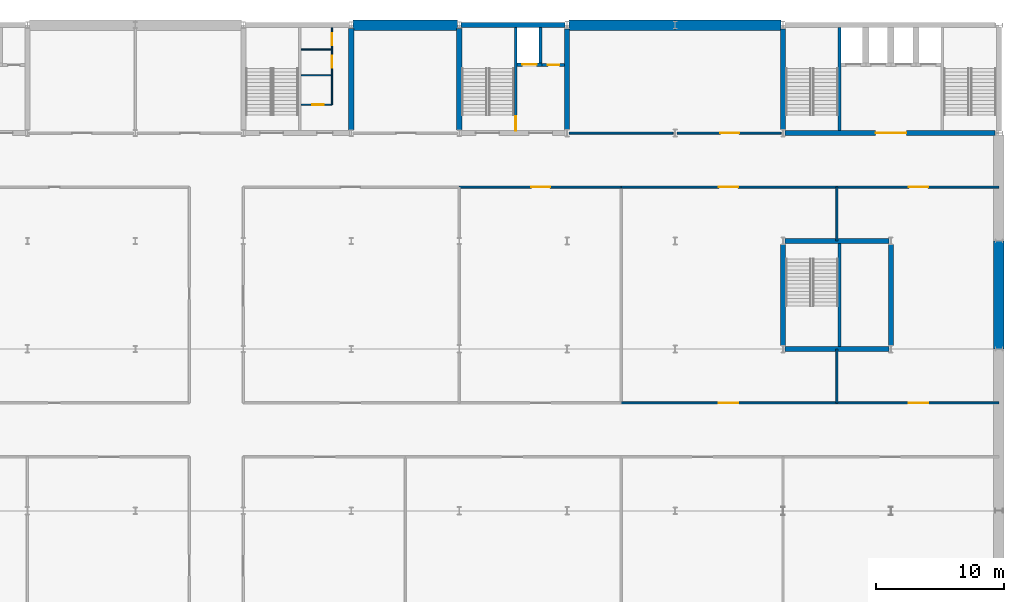
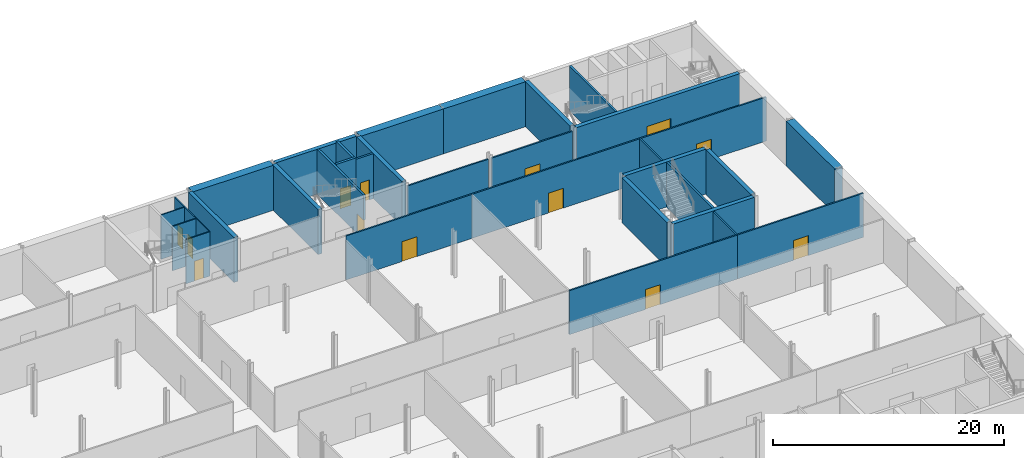
# One storey, part 16 of 20: 35 walls, 13 doors, 13 openings.
"""IFC4 building model written with IfcOpenShell, lengths in metres."""

from ifc_helpers import new_model, si_unit, direction, frame, frame_2d, origin, place, context, subcontext, project, spatial, rectangle, extrude, material, layer, layer_set, type_object, element, fill, save


model = new_model("IFC4")

# Units and contexts
model_context = context("Model", 3, precision=1e-05, world=origin(), true_north=direction((0.0, 1.0)))
body_context = subcontext(model_context, "Body", "Model", "MODEL_VIEW")
ifc_project = project(units=[si_unit("LENGTHUNIT", "METRE"), si_unit("AREAUNIT", "SQUARE_METRE"), si_unit("VOLUMEUNIT", "CUBIC_METRE"), si_unit("PLANEANGLEUNIT", "RADIAN"), si_unit("MASSUNIT", "GRAM", prefix="KILO")], contexts=[model_context])

# Site, building, storey
site_placement = place(None, origin())
site = spatial("IfcSite", under=ifc_project, at=site_placement, CompositionType="ELEMENT")
building_placement = place(site_placement, origin())
building = spatial("IfcBuilding", under=site, at=building_placement, Name="Galleria Vessillo Department Store", CompositionType="ELEMENT")
storey_placement = place(building_placement, frame((0.0, 0.0, -4.89990234375)))
storey = spatial("IfcBuildingStorey", under=building, at=storey_placement, Name="B1", CompositionType="ELEMENT", Elevation=-4.89990234375)

# Walls
ifc_material_1 = material(Name="Concrete C32/40 reinforced", Category="concrete")
ifc_layer_1 = layer(ifc_material_1, 0.800048828125)
ifc_layer_set_1 = layer_set([ifc_layer_1], Name="Concrete C32/40 reinforced")
wall_type_1 = type_object("IfcWallType", Name="Diaphragm wall 800 mm", PredefinedType="SOLIDWALL", material=ifc_layer_set_1)
wall_1_placement = place(storey_placement, frame((67.349853515625, 63.0, 0.0), z_axis=(0.0, 0.0, 1.0), x_axis=(1.0, 0.0, 0.0)))
element("IfcWall", 1, at=wall_1_placement, inside=storey, type_object=wall_type_1, Name="S-BW-N-B1-06", PredefinedType="SOLIDWALL", context=body_context, shape_type="SweptSolid", body=[
    extrude(rectangle(XDim=8.100341796875, YDim=0.800048828125, at=frame_2d((4.05029296875, 0.0))), origin(), (0.0, 0.0, 1.0), 4.75),
])
wall_2_placement = place(storey_placement, frame((84.153076171875, 63.0, 0.0), z_axis=(0.0, 0.0, 1.0), x_axis=(1.0, 0.0, 0.0)))
element("IfcWall", 2, at=wall_2_placement, inside=storey, type_object=wall_type_1, Name="S-BW-N-B1-07", PredefinedType="SOLIDWALL", context=body_context, shape_type="SweptSolid", body=[
    extrude(rectangle(XDim=8.246826171875, YDim=0.800048828125, at=frame_2d((4.12353515625, 0.0))), origin(), (0.0, 0.0, 1.0), 4.75),
])
wall_3_placement = place(storey_placement, frame((92.39990234375, 63.0, 0.0), z_axis=(0.0, 0.0, 1.0), x_axis=(1.0, 0.0, 0.0)))
element("IfcWall", 3, at=wall_3_placement, inside=storey, type_object=wall_type_1, Name="S-BW-N-B1-08", PredefinedType="SOLIDWALL", context=body_context, shape_type="SweptSolid", body=[
    extrude(rectangle(XDim=8.2470703125, YDim=0.800048828125, at=frame_2d((4.12353515625, 0.0))), origin(), (0.0, 0.0, 1.0), 4.75),
])
wall_4_placement = place(storey_placement, frame((117.60009765625, 37.800048828125, 0.0), z_axis=(0.0, 0.0, 1.0), x_axis=(0.0, 1.0, 0.0)))
element("IfcWall", 4, at=wall_4_placement, inside=storey, type_object=wall_type_1, Name="S-BW-E-B1-04", PredefinedType="SOLIDWALL", context=body_context, shape_type="SweptSolid", body=[
    extrude(rectangle(XDim=8.39990234375, YDim=0.800048828125, at=frame_2d((4.199951171875, 0.0))), origin(), (0.0, 0.0, 1.0), 4.75),
])

# Wall, opening, door
ifc_material_2 = material(Name="Solid clay block masonry", Category="masonry")
ifc_layer_2 = layer(ifc_material_2, 0.25)
ifc_layer_set_2 = layer_set([ifc_layer_2], Name="Solid clay block masonry")
wall_type_2 = type_object("IfcWallType", Name="Lift shaft wall 250 mm", PredefinedType="SOLIDWALL", material=ifc_layer_set_2)
wall_5_placement = place(storey_placement, frame((80.10009765625, 59.925048828125, 0.0), z_axis=(0.0, 0.0, 1.0), x_axis=(1.0, 0.0, 0.0)))
wall_5 = element("IfcWall", 5, at=wall_5_placement, inside=storey, type_object=wall_type_2, Name="Lift shaft wall LP6 landing side B1", PredefinedType="SOLIDWALL", context=body_context, shape_type="SweptSolid", body=[
    extrude(rectangle(XDim=1.949951171875, YDim=0.25, at=frame_2d((0.97509765625, 0.0))), origin(), (0.0, 0.0, 1.0), 4.89990234375),
])
opening_1_placement = place(wall_5_placement, frame((0.4248046875, 0.0, 0.0)))
opening_1 = element("IfcOpeningElement", 6, at=opening_1_placement, cuts=wall_5, Name="Opening LD042", PredefinedType="OPENING", context=body_context, shape_type="SweptSolid", body=[
    extrude(rectangle(XDim=1.10009765625, YDim=2.10009765625, at=frame_2d((0.550048828125, 1.050048828125))), frame((0.0, 0.135009765625, 0.0), z_axis=(0.0, -1.0, 0.0), x_axis=(1.0, 0.0, 0.0)), (0.0, 0.0, 1.0), 0.27001953125),
])
ifc_material_3 = material(Name="Stainless steel lift door panel", Category="steel")
door_type_1 = type_object("IfcDoorType", Name="Lift landing door LD110 sliding 1100 x 2100", OperationType="SLIDING_TO_LEFT", PredefinedType="DOOR", material=ifc_material_3)
door_1_placement = place(opening_1_placement, frame((1.10009765625, 0.0, 0.0), z_axis=(0.0, 0.0, 1.0), x_axis=(-1.0, 0.0, 0.0)))
door_1 = element("IfcDoor", 7, at=door_1_placement, inside=storey, type_object=door_type_1, Name="Lift landing door LP6 B1", OperationType="SLIDING_TO_RIGHT", OverallHeight=2.10009765625, OverallWidth=1.10009765625, PredefinedType="DOOR", context=body_context, shape_type="SweptSolid", body=[
    extrude(rectangle(XDim=1.10009765625, YDim=2.10009765625, at=frame_2d((0.550048828125, 1.050048828125))), frame((0.0, 0.02490234375, 0.0), z_axis=(0.0, -1.0, 0.0), x_axis=(1.0, 0.0, 0.0)), (0.0, 0.0, 1.0), 0.050048828125),
])
fill(opening_1, door_1)

# Walls
wall_6_placement = place(storey_placement, frame((81.925048828125, 62.800048828125, 0.0), z_axis=(0.0, 0.0, 1.0), x_axis=(0.0, -1.0, 0.0)))
element("IfcWall", 8, at=wall_6_placement, inside=storey, type_object=wall_type_2, Name="Lift shaft wall LP6 B1", PredefinedType="SOLIDWALL", context=body_context, shape_type="SweptSolid", body=[
    extrude(rectangle(XDim=2.75, YDim=0.25, at=frame_2d((1.375, 0.0))), origin(), (0.0, 0.0, 1.0), 4.89990234375),
])
ifc_material_4 = material(Name="Concrete C32/40 reinforced", Category="concrete")
ifc_layer_3 = layer(ifc_material_4, 0.39990234375)
ifc_layer_set_3 = layer_set([ifc_layer_3], Name="Concrete C32/40 reinforced")
wall_type_3 = type_object("IfcWallType", Name="Reinforced concrete core wall 400 mm", PredefinedType="SHEAR", material=ifc_layer_set_3)
wall_7_placement = place(storey_placement, frame((75.60009765625, 54.85009765625, 0.0), z_axis=(0.0, 0.0, 1.0), x_axis=(0.0, 1.0, 0.0)))
element("IfcWall", 9, at=wall_7_placement, inside=storey, type_object=wall_type_3, Name="S-CW-PC-NE-WEST-B1", PredefinedType="SHEAR", context=body_context, shape_type="SweptSolid", body=[
    extrude(rectangle(XDim=7.89990234375, YDim=0.39990234375, at=frame_2d((3.949951171875, 0.0))), origin(), (0.0, 0.0, 1.0), 4.75),
])
wall_8_placement = place(storey_placement, frame((84.0, 54.885986328125, 0.0), z_axis=(0.0, 0.0, 1.0), x_axis=(0.0, 1.0, 0.0)))
element("IfcWall", 10, at=wall_8_placement, inside=storey, type_object=wall_type_3, Name="S-CW-PC-NE-EAST-B1", PredefinedType="SHEAR", context=body_context, shape_type="SweptSolid", body=[
    extrude(rectangle(XDim=7.828125, YDim=0.39990234375, at=frame_2d((3.9140625, 0.0))), origin(), (0.0, 0.0, 1.0), 4.75),
])
wall_9_placement = place(storey_placement, frame((67.199951171875, 54.85009765625, 0.0), z_axis=(0.0, 0.0, 1.0), x_axis=(0.0, 1.0, 0.0)))
element("IfcWall", 11, at=wall_9_placement, inside=storey, type_object=wall_type_3, Name="S-CW-PC-NC-EAST-B1", PredefinedType="SHEAR", context=body_context, shape_type="SweptSolid", body=[
    extrude(rectangle(XDim=7.89990234375, YDim=0.39990234375, at=frame_2d((3.949951171875, 0.0))), origin(), (0.0, 0.0, 1.0), 4.75),
])

# Wall, opening, door
wall_10_placement = place(storey_placement, frame((100.953125, 54.60009765625, 0.0), z_axis=(0.0, 0.0, 1.0), x_axis=(1.0, 0.0, 0.0)))
wall_10 = element("IfcWall", 12, at=wall_10_placement, inside=storey, type_object=wall_type_3, Name="S-CW-TC-INTERIOR-B1", PredefinedType="SHEAR", context=body_context, shape_type="SweptSolid", body=[
    extrude(rectangle(XDim=16.361083984375, YDim=0.39990234375, at=frame_2d((8.1806640625, 0.0))), origin(), (0.0, 0.0, 1.0), 4.75),
])
opening_2_placement = place(wall_10_placement, frame((7.046875, 0.0, 0.0)))
opening_2 = element("IfcOpeningElement", 13, at=opening_2_placement, cuts=wall_10, Name="Opening D5260", PredefinedType="OPENING", context=body_context, shape_type="SweptSolid", body=[
    extrude(rectangle(XDim=2.39990234375, YDim=2.39990234375, at=frame_2d((1.199951171875, 1.199951171875))), frame((0.0, 0.2099609375, 0.0), z_axis=(0.0, -1.0, 0.0), x_axis=(1.0, 0.0, 0.0)), (0.0, 0.0, 1.0), 0.419921875),
])
ifc_material_5 = material(Name="Fire-rated steel door leaf", Category="steel")
door_type_2 = type_object("IfcDoorType", Name="Door D240F double leaf 2400 x 2400", OperationType="DOUBLE_DOOR_SINGLE_SWING", PredefinedType="DOOR", material=ifc_material_5)
door_2_placement = place(opening_2_placement, frame((2.39990234375, 0.0, 0.0), z_axis=(0.0, 0.0, 1.0), x_axis=(-1.0, 0.0, 0.0)))
door_2 = element("IfcDoor", 14, at=door_2_placement, inside=storey, type_object=door_type_2, Name="Lobby door TC-LOBBY-FLOOR B1", OperationType="DOUBLE_DOOR_SINGLE_SWING", OverallHeight=2.39990234375, OverallWidth=2.39990234375, PredefinedType="DOOR", context=body_context, shape_type="SweptSolid", body=[
    extrude(rectangle(XDim=2.39990234375, YDim=2.39990234375, at=frame_2d((1.199951171875, 1.199951171875))), frame((0.0, 0.02490234375, 0.0), z_axis=(0.0, -1.0, 0.0), x_axis=(1.0, 0.0, 0.0)), (0.0, 0.0, 1.0), 0.050048828125),
])
fill(opening_2, door_2)

# Walls
wall_11_placement = place(storey_placement, frame((100.800048828125, 54.885986328125, 0.0), z_axis=(0.0, 0.0, 1.0), x_axis=(0.0, 1.0, 0.0)))
element("IfcWall", 15, at=wall_11_placement, inside=storey, type_object=wall_type_3, Name="S-CW-TC-WEST-B1", PredefinedType="SHEAR", context=body_context, shape_type="SweptSolid", body=[
    extrude(rectangle(XDim=7.828125, YDim=0.39990234375, at=frame_2d((3.9140625, 0.0))), origin(), (0.0, 0.0, 1.0), 4.75),
])
for number, where, z_axis, x_axis, name in (
    (16, (100.953125, 37.800048828125, 0.0), (0.0, 0.0, 1.0), (1.0, 0.0, 0.0), "S-CW-TS-PARTY-B1"),
    (17, (100.953125, 46.199951171875, 0.0), (0.0, 0.0, 1.0), (1.0, 0.0, 0.0), "S-CW-TS-INTERIOR-B1"),
):
    element("IfcWall", number, at=place(storey_placement, frame(where, z_axis=z_axis, x_axis=x_axis)), inside=storey, type_object=wall_type_3, Name=name, PredefinedType="SHEAR", context=body_context, shape_type="SweptSolid", body=[
        extrude(rectangle(XDim=8.09375, YDim=0.39990234375, at=frame_2d((4.046875, 0.0))), origin(), (0.0, 0.0, 1.0), 4.75),
    ])
for number, where, z_axis, x_axis, name in (
    (18, (100.800048828125, 38.0859375, 0.0), (0.0, 0.0, 1.0), (0.0, 1.0, 0.0), "S-CW-TS-WEST-B1"),
    (19, (109.199951171875, 38.0859375, 0.0), (0.0, 0.0, 1.0), (0.0, 1.0, 0.0), "S-CW-TS-EAST-B1"),
):
    element("IfcWall", number, at=place(storey_placement, frame(where, z_axis=z_axis, x_axis=x_axis)), inside=storey, type_object=wall_type_3, Name=name, PredefinedType="SHEAR", context=body_context, shape_type="SweptSolid", body=[
        extrude(rectangle(XDim=7.828125, YDim=0.39990234375, at=frame_2d((3.9140625, 0.0))), origin(), (0.0, 0.0, 1.0), 4.75),
    ])
ifc_material_6 = material(Name="Concrete C32/40 reinforced", Category="concrete")
ifc_layer_4 = layer(ifc_material_6, 0.39990234375)
ifc_layer_set_4 = layer_set([ifc_layer_4], Name="Concrete C32/40 reinforced")
wall_type_4 = type_object("IfcWallType", Name="Reinforced concrete core wall 400 mm, external", PredefinedType="SHEAR", material=ifc_layer_set_4)
wall_12_placement = place(storey_placement, frame((75.75, 63.0, 0.0), z_axis=(0.0, 0.0, 1.0), x_axis=(1.0, 0.0, 0.0)))
element("IfcWall", 20, at=wall_12_placement, inside=storey, type_object=wall_type_4, Name="S-CW-PC-NE-PARTY-B1", PredefinedType="SHEAR", context=body_context, shape_type="SweptSolid", body=[
    extrude(rectangle(XDim=8.096923828125, YDim=0.39990234375, at=frame_2d((4.04833984375, 0.0))), origin(), (0.0, 0.0, 1.0), 4.75),
])

# Wall, opening, door
ifc_material_7 = material(Name="Concrete C32/40 reinforced", Category="concrete")
ifc_layer_5 = layer(ifc_material_7, 0.199951171875)
ifc_layer_set_5 = layer_set([ifc_layer_5], Name="Concrete C32/40 reinforced")
wall_type_5 = type_object("IfcWallType", Name="Reinforced concrete stair enclosure wall 200 mm", PredefinedType="SHEAR", material=ifc_layer_set_5)
wall_13_placement = place(storey_placement, frame((80.0, 62.800048828125, 0.0), z_axis=(0.0, 0.0, 1.0), x_axis=(0.0, -1.0, 0.0)))
wall_13 = element("IfcWall", 21, at=wall_13_placement, inside=storey, type_object=wall_type_5, Name="Stair enclosure wall PC-NE B1", PredefinedType="SHEAR", context=body_context, shape_type="SweptSolid", body=[
    extrude(rectangle(XDim=8.0, YDim=0.199951171875, at=frame_2d((4.0, 0.0))), origin(), (0.0, 0.0, 1.0), 4.75),
])
opening_3_placement = place(wall_13_placement, frame((6.89990234375, 0.0, 0.0)))
opening_3 = element("IfcOpeningElement", 22, at=opening_3_placement, cuts=wall_13, Name="Opening D5162", PredefinedType="OPENING", context=body_context, shape_type="SweptSolid", body=[
    extrude(rectangle(XDim=1.11009765625, YDim=2.10009765625, at=frame_2d((0.554931640625, 1.050048828125))), frame((0.0, 0.10986328125, 0.0), z_axis=(0.0, -1.0, 0.0), x_axis=(1.0, 0.0, 0.0)), (0.0, 0.0, 1.0), 0.219970703125),
])
ifc_material_8 = material(Name="Fire-rated steel door leaf", Category="steel")
door_type_3 = type_object("IfcDoorType", Name="Door D110F stair door 1100 x 2100", OperationType="SINGLE_SWING_LEFT", PredefinedType="DOOR", material=ifc_material_8)
door_3_placement = place(opening_3_placement, frame((1.10009765625, 0.0, 0.0), z_axis=(0.0, 0.0, 1.0), x_axis=(-1.0, 0.0, 0.0)))
door_3 = element("IfcDoor", 23, at=door_3_placement, inside=storey, type_object=door_type_3, Name="Stair door PC-NE-ST-LOBBY B1", OperationType="SINGLE_SWING_LEFT", OverallHeight=2.10009765625, OverallWidth=1.10009765625, PredefinedType="DOOR", context=body_context, shape_type="SweptSolid", body=[
    extrude(rectangle(XDim=1.10009765625, YDim=2.10009765625, at=frame_2d((0.550048828125, 1.050048828125))), frame((0.0, 0.02490234375, 0.0), z_axis=(0.0, -1.0, 0.0), x_axis=(1.0, 0.0, 0.0)), (0.0, 0.0, 1.0), 0.050048828125),
])
fill(opening_3, door_3)

# Walls
for number, where, z_axis, x_axis, name in (
    (24, (105.199951171875, 62.800048828125, 0.0), (0.0, 0.0, 1.0), (0.0, -1.0, 0.0), "Stair enclosure wall TC B1"),
    (25, (105.199951171875, 38.0, 0.0), (0.0, 0.0, 1.0), (0.0, 1.0, 0.0), "Stair enclosure wall TS B1"),
):
    element("IfcWall", number, at=place(storey_placement, frame(where, z_axis=z_axis, x_axis=x_axis)), inside=storey, type_object=wall_type_5, Name=name, PredefinedType="SHEAR", context=body_context, shape_type="SweptSolid", body=[
        extrude(rectangle(XDim=8.0, YDim=0.199951171875, at=frame_2d((4.0, 0.0))), origin(), (0.0, 0.0, 1.0), 4.75),
    ])

# Wall, opening, door
ifc_material_9 = material(Name="Hollow clay block masonry", Category="masonry")
ifc_layer_6 = layer(ifc_material_9, 0.199951171875)
ifc_layer_set_6 = layer_set([ifc_layer_6], Name="Hollow clay block masonry")
wall_type_6 = type_object("IfcWallType", Name="Riser and service room wall 200 mm", PredefinedType="PARTITIONING", material=ifc_layer_set_6)
wall_14_placement = place(storey_placement, frame((82.050048828125, 59.900146484375, 0.0), z_axis=(0.0, 0.0, 1.0), x_axis=(1.0, 0.0, 0.0)))
wall_14 = element("IfcWall", 26, at=wall_14_placement, inside=storey, type_object=wall_type_6, Name="Riser wall PC-NE-RISER B1", PredefinedType="PARTITIONING", context=body_context, shape_type="SweptSolid", body=[
    extrude(rectangle(XDim=1.75, YDim=0.199951171875, at=frame_2d((0.875, 0.0))), origin(), (0.0, 0.0, 1.0), 4.75),
])
opening_4_placement = place(wall_14_placement, frame((0.449951171875, 0.0, 0.0)))
opening_4 = element("IfcOpeningElement", 27, at=opening_4_placement, cuts=wall_14, Name="Opening D5163", PredefinedType="OPENING", context=body_context, shape_type="SweptSolid", body=[
    extrude(rectangle(XDim=0.89990234375, YDim=2.10009765625, at=frame_2d((0.449951171875, 1.050048828125))), frame((0.0, 0.10986328125, 0.0), z_axis=(0.0, -1.0, 0.0), x_axis=(1.0, 0.0, 0.0)), (0.0, 0.0, 1.0), 0.219970703125),
])
ifc_material_10 = material(Name="Fire-rated steel door leaf", Category="steel")
door_type_4 = type_object("IfcDoorType", Name="Door DR90 riser access 900 x 2100", OperationType="SINGLE_SWING_LEFT", PredefinedType="DOOR", material=ifc_material_10)
door_4_placement = place(opening_4_placement, origin())
door_4 = element("IfcDoor", 28, at=door_4_placement, inside=storey, type_object=door_type_4, Name="Riser door PC-NE-RISER-D B1", OperationType="SINGLE_SWING_RIGHT", OverallHeight=2.10009765625, OverallWidth=0.89990234375, PredefinedType="DOOR", context=body_context, shape_type="SweptSolid", body=[
    extrude(rectangle(XDim=0.89990234375, YDim=2.10009765625, at=frame_2d((0.449951171875, 1.050048828125))), frame((0.0, 0.02490234375, 0.0), z_axis=(0.0, -1.0, 0.0), x_axis=(1.0, 0.0, 0.0)), (0.0, 0.0, 1.0), 0.050048828125),
])
fill(opening_4, door_4)

ifc_material_11 = material(Name="Concrete blockwork", Category="masonry")
ifc_layer_7 = layer(ifc_material_11, 0.14990234375)
ifc_layer_set_7 = layer_set([ifc_layer_7], Name="Concrete blockwork")
wall_type_7 = type_object("IfcWallType", Name="Stockroom blockwork wall 150 mm", PredefinedType="SOLIDWALL", material=ifc_layer_set_7)
wall_15_placement = place(storey_placement, frame((88.199951171875, 33.60009765625, 0.0), z_axis=(0.0, 0.0, 1.0), x_axis=(1.0, 0.0, 0.0)))
wall_15 = element("IfcWall", 29, at=wall_15_placement, inside=storey, type_object=wall_type_7, Name="Partition wall PT4 on B1 no. 045", PredefinedType="SOLIDWALL", context=body_context, shape_type="SweptSolid", body=[
    extrude(rectangle(XDim=16.800048828125, YDim=0.14990234375, at=frame_2d((8.39990234375, 0.0))), origin(), (0.0, 0.0, 1.0), 4.64990234375),
])
opening_5_placement = place(wall_15_placement, frame((7.60009765625, 0.0, 0.0)))
opening_5 = element("IfcOpeningElement", 30, at=opening_5_placement, cuts=wall_15, Name="Opening D2135", PredefinedType="OPENING", context=body_context, shape_type="SweptSolid", body=[
    extrude(rectangle(XDim=1.5, YDim=2.10009765625, at=frame_2d((0.75, 1.050048828125))), frame((0.0, 0.0849609375, 0.0), z_axis=(0.0, -1.0, 0.0), x_axis=(1.0, 0.0, 0.0)), (0.0, 0.0, 1.0), 0.169921875),
])
ifc_material_12 = material(Name="Steel fire door leaf", Category="steel")
door_type_5 = type_object("IfcDoorType", Name="Stockroom fire door 1500 double leaf", OperationType="DOUBLE_DOOR_SINGLE_SWING", PredefinedType="DOOR", material=ifc_material_12)
door_5_placement = place(opening_5_placement, origin())
door_5 = element("IfcDoor", 31, at=door_5_placement, inside=storey, type_object=door_type_5, Name="Door D2135", OperationType="DOUBLE_DOOR_SINGLE_SWING", OverallHeight=2.10009765625, OverallWidth=1.5, PredefinedType="DOOR", context=body_context, shape_type="SweptSolid", body=[
    extrude(rectangle(XDim=1.5, YDim=2.10009765625, at=frame_2d((0.75, 1.050048828125))), frame((0.0, 0.02490234375, 0.0), z_axis=(0.0, -1.0, 0.0), x_axis=(1.0, 0.0, 0.0)), (0.0, 0.0, 1.0), 0.050048828125),
])
fill(opening_5, door_5)

wall_16_placement = place(storey_placement, frame((105.0, 33.60009765625, 0.0), z_axis=(0.0, 0.0, 1.0), x_axis=(1.0, 0.0, 0.0)))
wall_16 = element("IfcWall", 32, at=wall_16_placement, inside=storey, type_object=wall_type_7, Name="Partition wall PT4 on B1 no. 046", PredefinedType="SOLIDWALL", context=body_context, shape_type="SweptSolid", body=[
    extrude(rectangle(XDim=12.60009765625, YDim=0.14990234375, at=frame_2d((6.300048828125, 0.0))), origin(), (0.0, 0.0, 1.0), 4.64990234375),
])
opening_6_placement = place(wall_16_placement, frame((5.60009765625, 0.0, 0.0)))
opening_6 = element("IfcOpeningElement", 33, at=opening_6_placement, cuts=wall_16, Name="Opening D2136", PredefinedType="OPENING", context=body_context, shape_type="SweptSolid", body=[
    extrude(rectangle(XDim=1.5, YDim=2.10009765625, at=frame_2d((0.75, 1.050048828125))), frame((0.0, 0.0849609375, 0.0), z_axis=(0.0, -1.0, 0.0), x_axis=(1.0, 0.0, 0.0)), (0.0, 0.0, 1.0), 0.169921875),
])
door_6_placement = place(opening_6_placement, origin())
door_6 = element("IfcDoor", 34, at=door_6_placement, inside=storey, type_object=door_type_5, Name="Door D2136", OperationType="DOUBLE_DOOR_SINGLE_SWING", OverallHeight=2.10009765625, OverallWidth=1.5, PredefinedType="DOOR", context=body_context, shape_type="SweptSolid", body=[
    extrude(rectangle(XDim=1.5, YDim=2.10009765625, at=frame_2d((0.75, 1.050048828125))), frame((0.0, 0.02490234375, 0.0), z_axis=(0.0, -1.0, 0.0), x_axis=(1.0, 0.0, 0.0)), (0.0, 0.0, 1.0), 0.050048828125),
])
fill(opening_6, door_6)

wall_17_placement = place(storey_placement, frame((75.60009765625, 50.39990234375, 0.0), z_axis=(0.0, 0.0, 1.0), x_axis=(1.0, 0.0, 0.0)))
wall_17 = element("IfcWall", 35, at=wall_17_placement, inside=storey, type_object=wall_type_7, Name="Partition wall PT4 on B1 no. 052", PredefinedType="SOLIDWALL", context=body_context, shape_type="SweptSolid", body=[
    extrude(rectangle(XDim=12.599853515625, YDim=0.14990234375, at=frame_2d((6.2998046875, 0.0))), origin(), (0.0, 0.0, 1.0), 4.64990234375),
])
opening_7_placement = place(wall_17_placement, frame((5.60009765625, 0.0, 0.0)))
opening_7 = element("IfcOpeningElement", 36, at=opening_7_placement, cuts=wall_17, Name="Opening D2140", PredefinedType="OPENING", context=body_context, shape_type="SweptSolid", body=[
    extrude(rectangle(XDim=1.5, YDim=2.10009765625, at=frame_2d((0.75, 1.050048828125))), frame((0.0, 0.0849609375, 0.0), z_axis=(0.0, -1.0, 0.0), x_axis=(1.0, 0.0, 0.0)), (0.0, 0.0, 1.0), 0.169921875),
])
door_7_placement = place(opening_7_placement, frame((1.5, 0.0, 0.0), z_axis=(0.0, 0.0, 1.0), x_axis=(-1.0, 0.0, 0.0)))
door_7 = element("IfcDoor", 37, at=door_7_placement, inside=storey, type_object=door_type_5, Name="Door D2140", OperationType="DOUBLE_DOOR_SINGLE_SWING", OverallHeight=2.10009765625, OverallWidth=1.5, PredefinedType="DOOR", context=body_context, shape_type="SweptSolid", body=[
    extrude(rectangle(XDim=1.5, YDim=2.10009765625, at=frame_2d((0.75, 1.050048828125))), frame((0.0, 0.02490234375, 0.0), z_axis=(0.0, -1.0, 0.0), x_axis=(1.0, 0.0, 0.0)), (0.0, 0.0, 1.0), 0.050048828125),
])
fill(opening_7, door_7)

wall_18_placement = place(storey_placement, frame((88.199951171875, 50.39990234375, 0.0), z_axis=(0.0, 0.0, 1.0), x_axis=(1.0, 0.0, 0.0)))
wall_18 = element("IfcWall", 38, at=wall_18_placement, inside=storey, type_object=wall_type_7, Name="Partition wall PT4 on B1 no. 053", PredefinedType="SOLIDWALL", context=body_context, shape_type="SweptSolid", body=[
    extrude(rectangle(XDim=16.800048828125, YDim=0.14990234375, at=frame_2d((8.39990234375, 0.0))), origin(), (0.0, 0.0, 1.0), 4.64990234375),
])
opening_8_placement = place(wall_18_placement, frame((7.60009765625, 0.0, 0.0)))
opening_8 = element("IfcOpeningElement", 39, at=opening_8_placement, cuts=wall_18, Name="Opening D2141", PredefinedType="OPENING", context=body_context, shape_type="SweptSolid", body=[
    extrude(rectangle(XDim=1.5, YDim=2.10009765625, at=frame_2d((0.75, 1.050048828125))), frame((0.0, 0.0849609375, 0.0), z_axis=(0.0, -1.0, 0.0), x_axis=(1.0, 0.0, 0.0)), (0.0, 0.0, 1.0), 0.169921875),
])
door_8_placement = place(opening_8_placement, frame((1.5, 0.0, 0.0), z_axis=(0.0, 0.0, 1.0), x_axis=(-1.0, 0.0, 0.0)))
door_8 = element("IfcDoor", 40, at=door_8_placement, inside=storey, type_object=door_type_5, Name="Door D2141", OperationType="DOUBLE_DOOR_SINGLE_SWING", OverallHeight=2.10009765625, OverallWidth=1.5, PredefinedType="DOOR", context=body_context, shape_type="SweptSolid", body=[
    extrude(rectangle(XDim=1.5, YDim=2.10009765625, at=frame_2d((0.75, 1.050048828125))), frame((0.0, 0.02490234375, 0.0), z_axis=(0.0, -1.0, 0.0), x_axis=(1.0, 0.0, 0.0)), (0.0, 0.0, 1.0), 0.050048828125),
])
fill(opening_8, door_8)

wall_19_placement = place(storey_placement, frame((105.0, 50.39990234375, 0.0), z_axis=(0.0, 0.0, 1.0), x_axis=(1.0, 0.0, 0.0)))
wall_19 = element("IfcWall", 41, at=wall_19_placement, inside=storey, type_object=wall_type_7, Name="Partition wall PT4 on B1 no. 054", PredefinedType="SOLIDWALL", context=body_context, shape_type="SweptSolid", body=[
    extrude(rectangle(XDim=12.60009765625, YDim=0.14990234375, at=frame_2d((6.300048828125, 0.0))), origin(), (0.0, 0.0, 1.0), 4.64990234375),
])
opening_9_placement = place(wall_19_placement, frame((5.60009765625, 0.0, 0.0)))
opening_9 = element("IfcOpeningElement", 42, at=opening_9_placement, cuts=wall_19, Name="Opening D2142", PredefinedType="OPENING", context=body_context, shape_type="SweptSolid", body=[
    extrude(rectangle(XDim=1.5, YDim=2.10009765625, at=frame_2d((0.75, 1.050048828125))), frame((0.0, 0.0849609375, 0.0), z_axis=(0.0, -1.0, 0.0), x_axis=(1.0, 0.0, 0.0)), (0.0, 0.0, 1.0), 0.169921875),
])
door_9_placement = place(opening_9_placement, frame((1.5, 0.0, 0.0), z_axis=(0.0, 0.0, 1.0), x_axis=(-1.0, 0.0, 0.0)))
door_9 = element("IfcDoor", 43, at=door_9_placement, inside=storey, type_object=door_type_5, Name="Door D2142", OperationType="DOUBLE_DOOR_SINGLE_SWING", OverallHeight=2.10009765625, OverallWidth=1.5, PredefinedType="DOOR", context=body_context, shape_type="SweptSolid", body=[
    extrude(rectangle(XDim=1.5, YDim=2.10009765625, at=frame_2d((0.75, 1.050048828125))), frame((0.0, 0.02490234375, 0.0), z_axis=(0.0, -1.0, 0.0), x_axis=(1.0, 0.0, 0.0)), (0.0, 0.0, 1.0), 0.050048828125),
])
fill(opening_9, door_9)

# Wall
wall_20_placement = place(storey_placement, frame((84.153076171875, 54.60009765625, 0.0), z_axis=(0.0, 0.0, 1.0), x_axis=(1.0, 0.0, 0.0)))
element("IfcWall", 44, at=wall_20_placement, inside=storey, type_object=wall_type_7, Name="Partition wall PT4 on B1 no. 063", PredefinedType="SOLIDWALL", context=body_context, shape_type="SweptSolid", body=[
    extrude(rectangle(XDim=8.09375, YDim=0.14990234375, at=frame_2d((4.046875, 0.0))), origin(), (0.0, 0.0, 1.0), 4.39990234375),
])

# Wall, opening, door
wall_21_placement = place(storey_placement, frame((92.552978515625, 54.60009765625, 0.0), z_axis=(0.0, 0.0, 1.0), x_axis=(1.0, 0.0, 0.0)))
wall_21 = element("IfcWall", 45, at=wall_21_placement, inside=storey, type_object=wall_type_7, Name="Partition wall PT4 on B1 no. 064", PredefinedType="SOLIDWALL", context=body_context, shape_type="SweptSolid", body=[
    extrude(rectangle(XDim=8.093994140625, YDim=0.14990234375, at=frame_2d((4.046875, 0.0))), origin(), (0.0, 0.0, 1.0), 4.39990234375),
])
opening_10_placement = place(wall_21_placement, frame((3.35009765625, 0.0, 0.0)))
opening_10 = element("IfcOpeningElement", 46, at=opening_10_placement, cuts=wall_21, Name="Opening D2150", PredefinedType="OPENING", context=body_context, shape_type="SweptSolid", body=[
    extrude(rectangle(XDim=1.5, YDim=2.10009765625, at=frame_2d((0.75, 1.050048828125))), frame((0.0, 0.0849609375, 0.0), z_axis=(0.0, -1.0, 0.0), x_axis=(1.0, 0.0, 0.0)), (0.0, 0.0, 1.0), 0.169921875),
])
door_10_placement = place(opening_10_placement, origin())
door_10 = element("IfcDoor", 47, at=door_10_placement, inside=storey, type_object=door_type_5, Name="Door D2150", OperationType="DOUBLE_DOOR_SINGLE_SWING", OverallHeight=2.10009765625, OverallWidth=1.5, PredefinedType="DOOR", context=body_context, shape_type="SweptSolid", body=[
    extrude(rectangle(XDim=1.5, YDim=2.10009765625, at=frame_2d((0.75, 1.050048828125))), frame((0.0, 0.02490234375, 0.0), z_axis=(0.0, -1.0, 0.0), x_axis=(1.0, 0.0, 0.0)), (0.0, 0.0, 1.0), 0.050048828125),
])
fill(opening_10, door_10)

# Walls
for number, where, z_axis, x_axis, name in (
    (48, (105.0, 33.60009765625, 0.0), (0.0, 0.0, 1.0), (0.0, 1.0, 0.0), "Partition wall PT4 on B1 no. 098"),
    (49, (105.0, 46.2099609375, 0.0), (0.0, 0.0, 1.0), (0.0, 1.0, 0.0), "Partition wall PT4 on B1 no. 099"),
):
    element("IfcWall", number, at=place(storey_placement, frame(where, z_axis=z_axis, x_axis=x_axis)), inside=storey, type_object=wall_type_7, Name=name, PredefinedType="SOLIDWALL", context=body_context, shape_type="SweptSolid", body=[
        extrude(rectangle(XDim=4.18994140625, YDim=0.14990234375, at=frame_2d((2.094970703125, 0.0))), origin(), (0.0, 0.0, 1.0), 4.64990234375),
    ])

# Wall, opening, door
ifc_material_13 = material(Name="Moisture-resistant board partition")
ifc_layer_8 = layer(ifc_material_13, 0.10009765625)
ifc_layer_set_8 = layer_set([ifc_layer_8], Name="Moisture-resistant board partition")
wall_type_8 = type_object("IfcWallType", Name="WC and cubicle partition 100 mm", PredefinedType="PARTITIONING", material=ifc_layer_set_8)
wall_22_placement = place(storey_placement, frame((63.300048828125, 56.800048828125, 0.0), z_axis=(0.0, 0.0, 1.0), x_axis=(1.0, 0.0, 0.0)))
wall_22 = element("IfcWall", 50, at=wall_22_placement, inside=storey, type_object=wall_type_8, Name="Partition wall PT1 on B1 no. 007", PredefinedType="PARTITIONING", context=body_context, shape_type="SweptSolid", body=[
    extrude(rectangle(XDim=2.39990234375, YDim=0.10009765625, at=frame_2d((1.199951171875, 0.0))), origin(), (0.0, 0.0, 1.0), 4.679931640625),
])
opening_11_placement = place(wall_22_placement, frame((0.85009765625, 0.0, 0.0)))
opening_11 = element("IfcOpeningElement", 51, at=opening_11_placement, cuts=wall_22, Name="Opening D2104", PredefinedType="OPENING", context=body_context, shape_type="SweptSolid", body=[
    extrude(rectangle(XDim=0.89990234375, YDim=2.10009765625, at=frame_2d((0.449951171875, 1.050048828125))), frame((0.0, 0.06005859375, 0.0), z_axis=(0.0, -1.0, 0.0), x_axis=(1.0, 0.0, 0.0)), (0.0, 0.0, 1.0), 0.1201171875),
])
ifc_material_14 = material(Name="Timber and glass door leaf", Category="wood")
door_type_6 = type_object("IfcDoorType", Name="Floor door 900 single leaf", OperationType="SINGLE_SWING_LEFT", PredefinedType="DOOR", material=ifc_material_14)
door_11_placement = place(opening_11_placement, frame((0.89990234375, 0.0, 0.0), z_axis=(0.0, 0.0, 1.0), x_axis=(-1.0, 0.0, 0.0)))
door_11 = element("IfcDoor", 52, at=door_11_placement, inside=storey, type_object=door_type_6, Name="Door D2104", OperationType="SINGLE_SWING_RIGHT", OverallHeight=2.10009765625, OverallWidth=0.89990234375, PredefinedType="DOOR", context=body_context, shape_type="SweptSolid", body=[
    extrude(rectangle(XDim=0.89990234375, YDim=2.10009765625, at=frame_2d((0.449951171875, 1.050048828125))), frame((0.0, 0.02490234375, 0.0), z_axis=(0.0, -1.0, 0.0), x_axis=(1.0, 0.0, 0.0)), (0.0, 0.0, 1.0), 0.050048828125),
])
fill(opening_11, door_11)

# Wall
wall_23_placement = place(storey_placement, frame((65.699951171875, 56.800048828125, 0.0), z_axis=(0.0, 0.0, 1.0), x_axis=(0.0, 1.0, 0.0)))
element("IfcWall", 53, at=wall_23_placement, inside=storey, type_object=wall_type_8, Name="Partition wall PT1 on B1 no. 008", PredefinedType="PARTITIONING", context=body_context, shape_type="SweptSolid", body=[
    extrude(rectangle(XDim=2.300048828125, YDim=0.10009765625, at=frame_2d((1.14990234375, 0.0))), origin(), (0.0, 0.0, 1.0), 4.679931640625),
])

# Wall, opening, door
wall_24_placement = place(storey_placement, frame((65.699951171875, 59.10009765625, 0.0), z_axis=(0.0, 0.0, 1.0), x_axis=(0.0, 1.0, 0.0)))
wall_24 = element("IfcWall", 54, at=wall_24_placement, inside=storey, type_object=wall_type_8, Name="Partition wall PT1 on B1 no. 009", PredefinedType="PARTITIONING", context=body_context, shape_type="SweptSolid", body=[
    extrude(rectangle(XDim=2.0, YDim=0.10009765625, at=frame_2d((1.0, 0.0))), origin(), (0.0, 0.0, 1.0), 4.679931640625),
])
opening_12_placement = place(wall_24_placement, frame((0.60009765625, 0.0, 0.0)))
opening_12 = element("IfcOpeningElement", 55, at=opening_12_placement, cuts=wall_24, Name="Opening D2105", PredefinedType="OPENING", context=body_context, shape_type="SweptSolid", body=[
    extrude(rectangle(XDim=0.89990234375, YDim=2.10009765625, at=frame_2d((0.449951171875, 1.050048828125))), frame((0.0, 0.06005859375, 0.0), z_axis=(0.0, -1.0, 0.0), x_axis=(1.0, 0.0, 0.0)), (0.0, 0.0, 1.0), 0.1201171875),
])
door_12_placement = place(opening_12_placement, frame((0.89990234375, 0.0, 0.0), z_axis=(0.0, 0.0, 1.0), x_axis=(-1.0, 0.0, 0.0)))
door_12 = element("IfcDoor", 56, at=door_12_placement, inside=storey, type_object=door_type_6, Name="Door D2105", OperationType="SINGLE_SWING_LEFT", OverallHeight=2.10009765625, OverallWidth=0.89990234375, PredefinedType="DOOR", context=body_context, shape_type="SweptSolid", body=[
    extrude(rectangle(XDim=0.89990234375, YDim=2.10009765625, at=frame_2d((0.449951171875, 1.050048828125))), frame((0.0, 0.02490234375, 0.0), z_axis=(0.0, -1.0, 0.0), x_axis=(1.0, 0.0, 0.0)), (0.0, 0.0, 1.0), 0.050048828125),
])
fill(opening_12, door_12)

wall_25_placement = place(storey_placement, frame((65.699951171875, 61.10009765625, 0.0), z_axis=(0.0, 0.0, 1.0), x_axis=(0.0, 1.0, 0.0)))
wall_25 = element("IfcWall", 57, at=wall_25_placement, inside=storey, type_object=wall_type_8, Name="Partition wall PT1 on B1 no. 010", PredefinedType="PARTITIONING", context=body_context, shape_type="SweptSolid", body=[
    extrude(rectangle(XDim=1.699951171875, YDim=0.10009765625, at=frame_2d((0.85009765625, 0.0))), origin(), (0.0, 0.0, 1.0), 4.679931640625),
])
opening_13_placement = place(wall_25_placement, frame((0.35009765625, 0.0, 0.0)))
opening_13 = element("IfcOpeningElement", 58, at=opening_13_placement, cuts=wall_25, Name="Opening D2106", PredefinedType="OPENING", context=body_context, shape_type="SweptSolid", body=[
    extrude(rectangle(XDim=0.89990234375, YDim=2.10009765625, at=frame_2d((0.449951171875, 1.050048828125))), frame((0.0, 0.06005859375, 0.0), z_axis=(0.0, -1.0, 0.0), x_axis=(1.0, 0.0, 0.0)), (0.0, 0.0, 1.0), 0.1201171875),
])
ifc_material_15 = material(Name="Timber and glass door leaf", Category="wood")
door_type_7 = type_object("IfcDoorType", Name="Accessible WC door 900 sliding", OperationType="SLIDING_TO_LEFT", PredefinedType="DOOR", material=ifc_material_15)
door_13_placement = place(opening_13_placement, origin())
door_13 = element("IfcDoor", 59, at=door_13_placement, inside=storey, type_object=door_type_7, Name="Door D2106", OperationType="SLIDING_TO_RIGHT", OverallHeight=2.10009765625, OverallWidth=0.89990234375, PredefinedType="DOOR", context=body_context, shape_type="SweptSolid", body=[
    extrude(rectangle(XDim=0.89990234375, YDim=2.10009765625, at=frame_2d((0.449951171875, 1.050048828125))), frame((0.0, 0.02490234375, 0.0), z_axis=(0.0, -1.0, 0.0), x_axis=(1.0, 0.0, 0.0)), (0.0, 0.0, 1.0), 0.050048828125),
])
fill(opening_13, door_13)

# Walls
for number, where, z_axis, x_axis, name in (
    (60, (63.300048828125, 59.10009765625, 0.0), (0.0, 0.0, 1.0), (1.0, 0.0, 0.0), "Partition wall PT1 on B1 no. 011"),
    (61, (63.300048828125, 61.10009765625, 0.0), (0.0, 0.0, 1.0), (1.0, 0.0, 0.0), "Partition wall PT1 on B1 no. 012"),
):
    element("IfcWall", number, at=place(storey_placement, frame(where, z_axis=z_axis, x_axis=x_axis)), inside=storey, type_object=wall_type_8, Name=name, PredefinedType="PARTITIONING", context=body_context, shape_type="SweptSolid", body=[
        extrude(rectangle(XDim=2.39990234375, YDim=0.10009765625, at=frame_2d((1.199951171875, 0.0))), origin(), (0.0, 0.0, 1.0), 4.679931640625),
    ])

save(model, "model.ifc")
